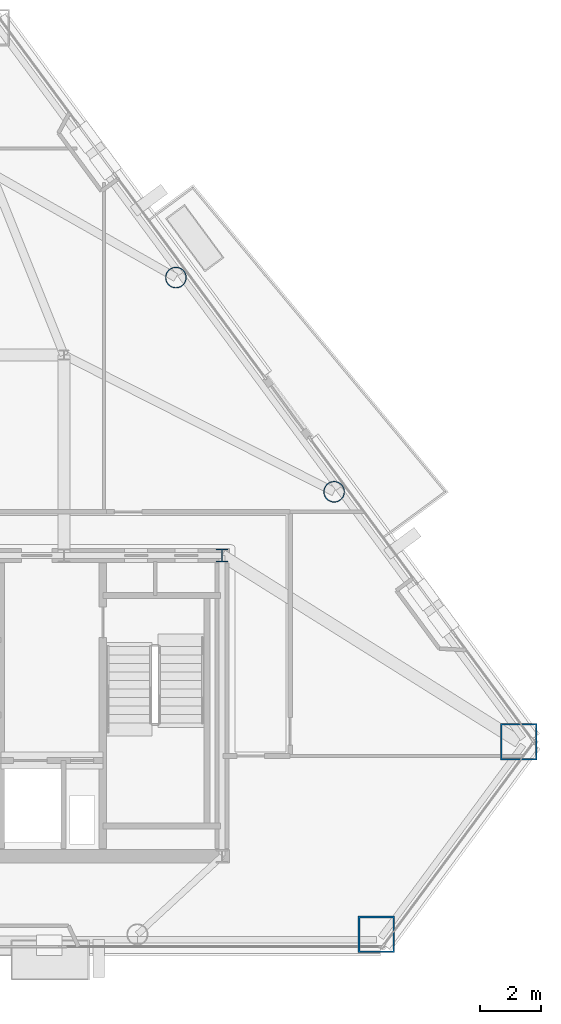
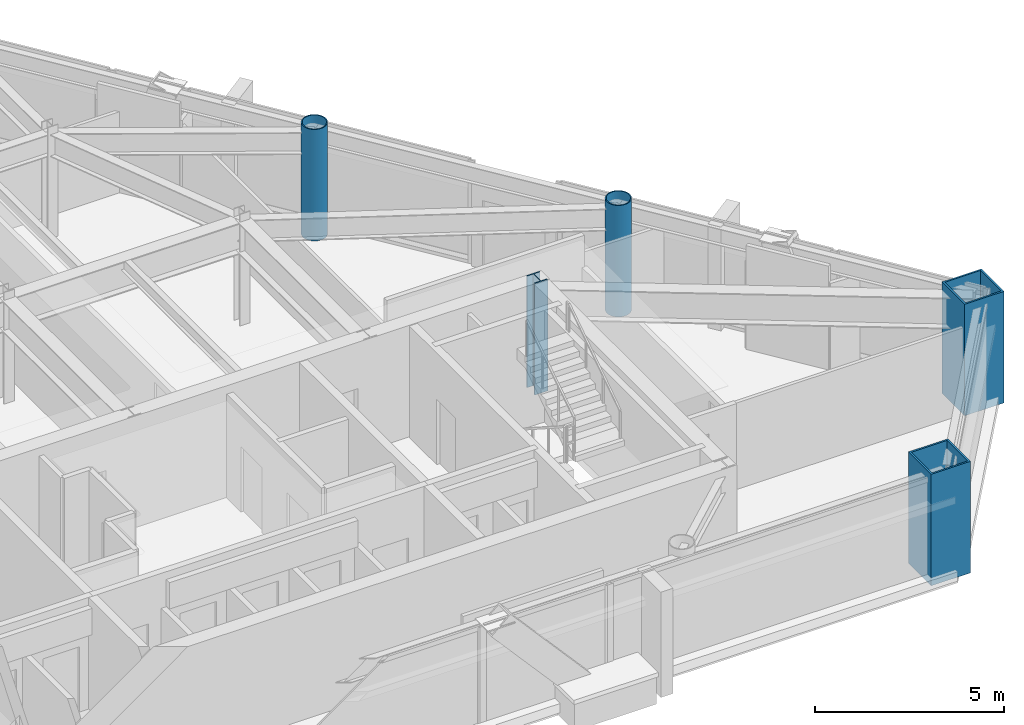
# One storey, part 2 of 11: 5 columns.
"""IFC4 building model written with IfcOpenShell, lengths in metres."""

from ifc_helpers import new_model, si_unit, direction, frame, origin, origin_2d, place, context, subcontext, project, spatial, hollow_rectangle, hollow_circle, i_section, extrude, material, material_profile, profile_set, type_object, element, save


model = new_model("IFC4")

# Units and contexts
model_context = context("Model", 3, precision=1e-05, world=origin(), true_north=direction((0.0, 1.0)))
body_context = subcontext(model_context, "Body", "Model", "MODEL_VIEW")
ifc_project = project(units=[si_unit("LENGTHUNIT", "METRE"), si_unit("AREAUNIT", "SQUARE_METRE"), si_unit("VOLUMEUNIT", "CUBIC_METRE"), si_unit("PLANEANGLEUNIT", "RADIAN"), si_unit("MASSUNIT", "GRAM", prefix="KILO")], contexts=[model_context])

# Site, building, storey
site_placement = place(None, origin())
site = spatial("IfcSite", under=ifc_project, at=site_placement, CompositionType="ELEMENT")
building_placement = place(site_placement, origin())
building = spatial("IfcBuilding", under=site, at=building_placement, Name="Talgorran Terracotta Tower", CompositionType="ELEMENT")
storey_placement = place(building_placement, frame((0.0, 0.0, 143.699951171875)))
storey = spatial("IfcBuildingStorey", under=building, at=storey_placement, Name="L37", CompositionType="ELEMENT", Elevation=143.699951171875)

# Columns
ifc_material_1 = material(Name="Steel S355 (300PLUS)", Category="steel")
ifc_material_profile_1 = material_profile(ifc_material_1, i_section(OverallWidth=0.39990234375, OverallDepth=0.43994140625, WebThickness=0.028076171875, FlangeThickness=0.0400390625, at=origin_2d()), Name="400WC328")
ifc_profile_set_1 = profile_set([ifc_material_profile_1], Name="Steel S355 (300PLUS)")
column_type_1 = type_object("IfcColumnType", Name="COL_400WC328", PredefinedType="COLUMN", material=ifc_profile_set_1)
column_placement = place(storey_placement, frame((12.39990234375, -4.199951171875, 0.0), z_axis=(0.0, 0.0, 1.0), x_axis=(1.0, 0.0, 0.0)))
element("IfcColumn", 1, at=column_placement, inside=storey, type_object=column_type_1, Name="L37 Core Boundary Column CC3", PredefinedType="COLUMN", context=body_context, shape_type="SweptSolid", body=[
    extrude(i_section(OverallWidth=0.39990234375, OverallDepth=0.43994140625, WebThickness=0.028076171875, FlangeThickness=0.0400390625, at=origin_2d()), origin(), (0.0, 0.0, 1.0), 3.60009765625),
])
ifc_material_2 = material(Name="Steel Grade 350 (350L0)", Category="steel")
ifc_material_profile_2 = material_profile(ifc_material_2, hollow_rectangle(XDim=1.199951171875, YDim=1.199951171875, WallThickness=0.054931640625, at=origin_2d()), Name="CFT1200X1200X55")
ifc_profile_set_2 = profile_set([ifc_material_profile_2], Name="Steel Grade 350 (350L0)")
column_type_2 = type_object("IfcColumnType", Name="COL_CFT_1200", PredefinedType="COLUMN", material=ifc_profile_set_2)
for number, where, z_axis, x_axis, name in (
    (2, (17.483642578125, -16.67431640625, 0.0), (0.0, 0.0, 1.0), (1.0, 0.0, 0.0), "L37 Corner CFT Mega-Column MC3"),
    (3, (22.168212890625, -10.331298828125, 0.0), (0.0, 0.0, 1.0), (1.0, 0.0, 0.0), "L37 Corner CFT Mega-Column MC4"),
):
    element("IfcColumn", number, at=place(storey_placement, frame(where, z_axis=z_axis, x_axis=x_axis)), inside=storey, type_object=column_type_2, Name=name, PredefinedType="COLUMN", context=body_context, shape_type="SweptSolid", body=[
        extrude(hollow_rectangle(XDim=1.199951171875, YDim=1.199951171875, WallThickness=0.054931640625, at=origin_2d()), origin(), (0.0, 0.0, 1.0), 3.60009765625),
    ])
ifc_material_profile_3 = material_profile(ifc_material_2, hollow_circle(Radius=0.35009765625, WallThickness=0.030029296875, at=origin_2d()), Name="CHS700X30")
ifc_profile_set_3 = profile_set([ifc_material_profile_3], Name="Steel Grade 350 (350L0)")
column_type_3 = type_object("IfcColumnType", Name="COL_CHS_700", PredefinedType="COLUMN", material=ifc_profile_set_3)
for number, where, z_axis, x_axis, name in (
    (4, (16.091552734375, -2.10302734375, 0.0), (0.0, 0.0, 1.0), (1.0, 0.0, 0.0), "L37 Facet Perimeter Column FC3"),
    (5, (10.8828125, 4.94970703125, 0.0), (0.0, 0.0, 1.0), (1.0, 0.0, 0.0), "L37 Facet Perimeter Column FC4"),
):
    element("IfcColumn", number, at=place(storey_placement, frame(where, z_axis=z_axis, x_axis=x_axis)), inside=storey, type_object=column_type_3, Name=name, PredefinedType="COLUMN", context=body_context, shape_type="SweptSolid", body=[
        extrude(hollow_circle(Radius=0.35009765625, WallThickness=0.030029296875, at=origin_2d()), origin(), (0.0, 0.0, 1.0), 3.60009765625),
    ])

save(model, "model.ifc")
